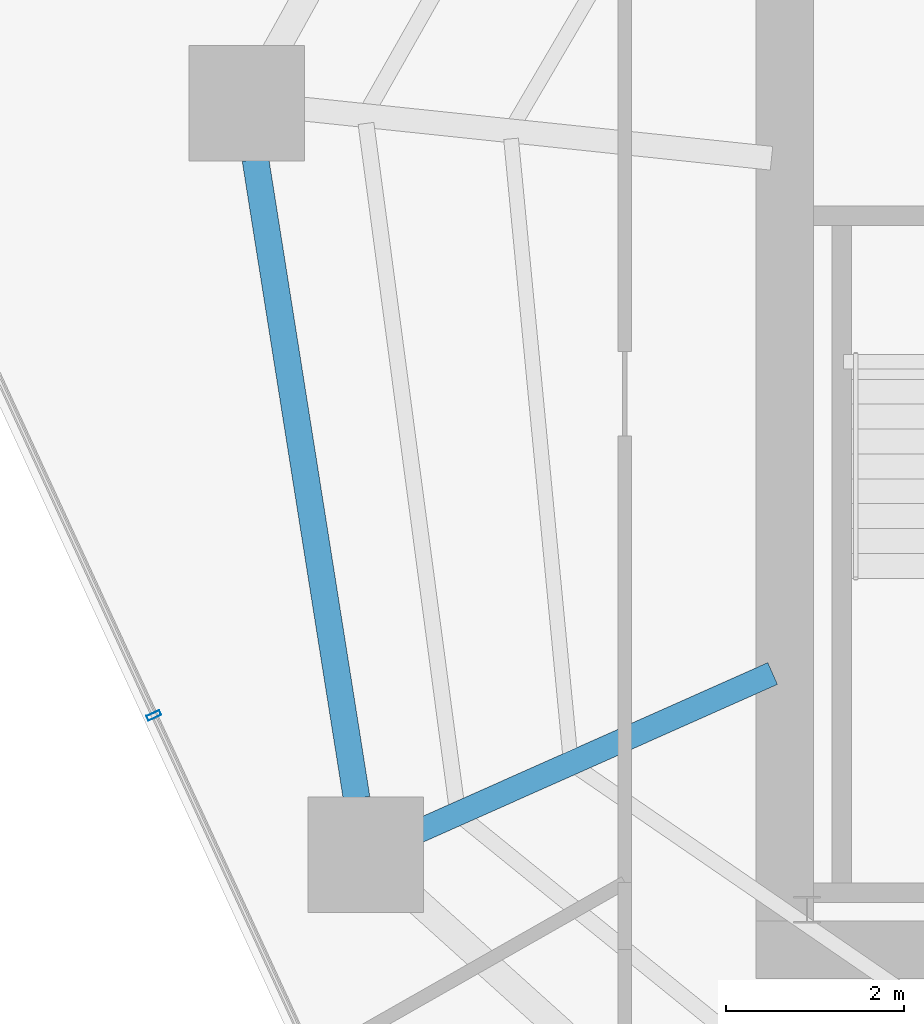
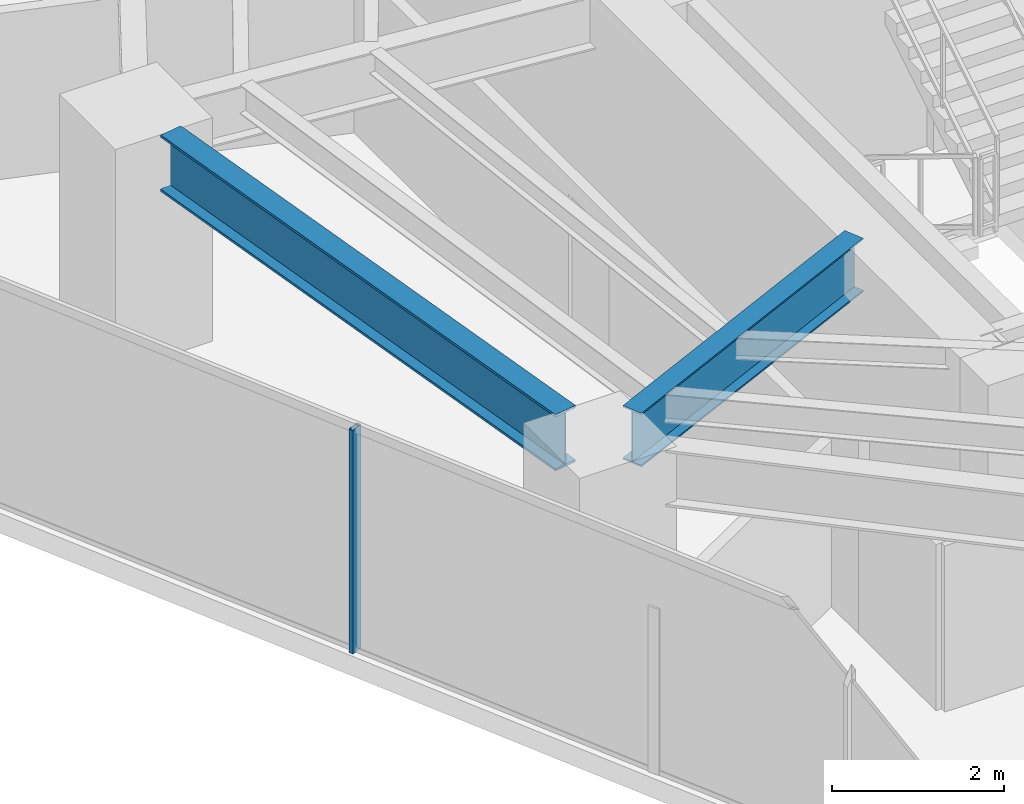
# One storey, part 7 of 30: 2 beams, 1 member, 1 element without a shape of its own.
"""IFC4 building model written with IfcOpenShell, lengths in metres."""

from ifc_helpers import new_model, si_unit, direction, frame, origin, origin_2d, place, context, subcontext, project, spatial, hollow_rectangle, i_section, extrude, material, layer, layer_set, material_profile, profile_set, type_object, element, aggregate, save


model = new_model("IFC4")

# Units and contexts
model_context = context("Model", 3, precision=1e-05, world=origin(), true_north=direction((0.0, 1.0)))
body_context = subcontext(model_context, "Body", "Model", "MODEL_VIEW")
ifc_project = project(units=[si_unit("LENGTHUNIT", "METRE"), si_unit("AREAUNIT", "SQUARE_METRE"), si_unit("VOLUMEUNIT", "CUBIC_METRE"), si_unit("PLANEANGLEUNIT", "RADIAN"), si_unit("MASSUNIT", "GRAM", prefix="KILO")], contexts=[model_context])

# Site, building, storey
site_placement = place(None, origin())
site = spatial("IfcSite", under=ifc_project, at=site_placement, CompositionType="ELEMENT")
building_placement = place(site_placement, origin())
building = spatial("IfcBuilding", under=site, at=building_placement, Name="Qarnah Convention Tower", CompositionType="ELEMENT")
storey_placement = place(building_placement, frame((0.0, 0.0, 47.699951171875)))
storey = spatial("IfcBuildingStorey", under=building, at=storey_placement, Name="L11", CompositionType="ELEMENT", Elevation=47.699951171875)

# Beams
ifc_material_1 = material(Name="Structural steel S355JR", Category="steel")
ifc_material_profile_1 = material_profile(ifc_material_1, i_section(OverallWidth=0.26806640625, OverallDepth=0.760009765625, WebThickness=0.014892578125, FlangeThickness=0.02197265625, at=origin_2d()), Name="W760X185")
ifc_profile_set_1 = profile_set([ifc_material_profile_1], Name="Structural steel S355JR")
beam_type_1 = type_object("IfcBeamType", Name="BM-RAD-W760", PredefinedType="BEAM", material=ifc_profile_set_1)
beam_1_placement = place(storey_placement, frame((26.6630859375, 21.708984375, 2.7900390625), z_axis=(-0.913519753242, -0.406794371195, 0.0), x_axis=(0.406794371195, -0.913519753242, 0.0)))
element("IfcBeam", 1, at=beam_1_placement, inside=storey, type_object=beam_type_1, Name="L11 beam BM-L11-RAD-06", PredefinedType="BEAM", context=body_context, shape_type="SweptSolid", body=[
    extrude(i_section(OverallWidth=0.26806640625, OverallDepth=0.760009765625, WebThickness=0.014892578125, FlangeThickness=0.02197265625, at=origin_2d()), origin(), (0.0, 0.0, 1.0), 4.38525390625),
])
ifc_material_profile_2 = material_profile(ifc_material_1, i_section(OverallWidth=0.300048828125, OverallDepth=0.800048828125, WebThickness=0.01806640625, FlangeThickness=0.032958984375, at=origin_2d()), Name="HEB800")
ifc_profile_set_2 = profile_set([ifc_material_profile_2], Name="Structural steel S355JR")
beam_type_2 = type_object("IfcBeamType", Name="BM-RING-HEB800", PredefinedType="BEAM", material=ifc_profile_set_2)
beam_2_placement = place(storey_placement, frame((20.841064453125, 27.498046875, 2.77001953125), z_axis=(0.156433977502, -0.987688417814, 0.0), x_axis=(0.987688417814, 0.156433977502, 0.0)))
element("IfcBeam", 2, at=beam_2_placement, inside=storey, type_object=beam_type_2, Name="L11 beam BM-L11-SPN-05", PredefinedType="BEAM", context=body_context, shape_type="SweptSolid", body=[
    extrude(i_section(OverallWidth=0.300048828125, OverallDepth=0.800048828125, WebThickness=0.01806640625, FlangeThickness=0.032958984375, at=origin_2d()), origin(), (0.0, 0.0, 1.0), 7.28662109375),
])

# Curtain wall, member
ifc_material_2 = material(Name="Tempered Low-E dark glass", Category="glass")
ifc_layer = layer(ifc_material_2, 0.16796875)
ifc_layer_set = layer_set([ifc_layer], Name="Tempered Low-E dark glass")
curtain_wall_type = type_object("IfcCurtainWallType", Name="CWS-01", PredefinedType="NOTDEFINED", material=ifc_layer_set)
curtain_wall_placement = place(storey_placement, origin())
curtain_wall = element("IfcCurtainWall", 3, at=curtain_wall_placement, inside=storey, type_object=curtain_wall_type, Name="L11 unitised curtain wall CW-L11-F1", PredefinedType="NOTDEFINED")
ifc_material_3 = material(Name="Black anodised aluminium", Category="aluminium")
ifc_material_profile_3 = material_profile(ifc_material_3, hollow_rectangle(XDim=0.06005859375, YDim=0.159912109375, WallThickness=0.00390625, at=origin_2d()), Name="MUL-60X160")
ifc_profile_set_3 = profile_set([ifc_material_profile_3], Name="Black anodised aluminium")
member_type = type_object("IfcMemberType", Name="MUL-T1", PredefinedType="MULLION", material=ifc_profile_set_3)
member_placement = place(storey_placement, frame((19.697509765625, 21.23681640625, 0.0), z_axis=(0.0, 0.0, 1.0), x_axis=(-0.418208766781, 0.908350938453, 0.0)))
member = element("IfcMember", 4, at=member_placement, type_object=member_type, Name="CW-L11-F1 mullion 4", PredefinedType="MULLION", context=body_context, shape_type="SweptSolid", body=[
    extrude(hollow_rectangle(XDim=0.06005859375, YDim=0.159912109375, WallThickness=0.00390625, at=origin_2d()), origin(), (0.0, 0.0, 1.0), 3.170166015625),
])
aggregate(curtain_wall, [member])

save(model, "model.ifc")
